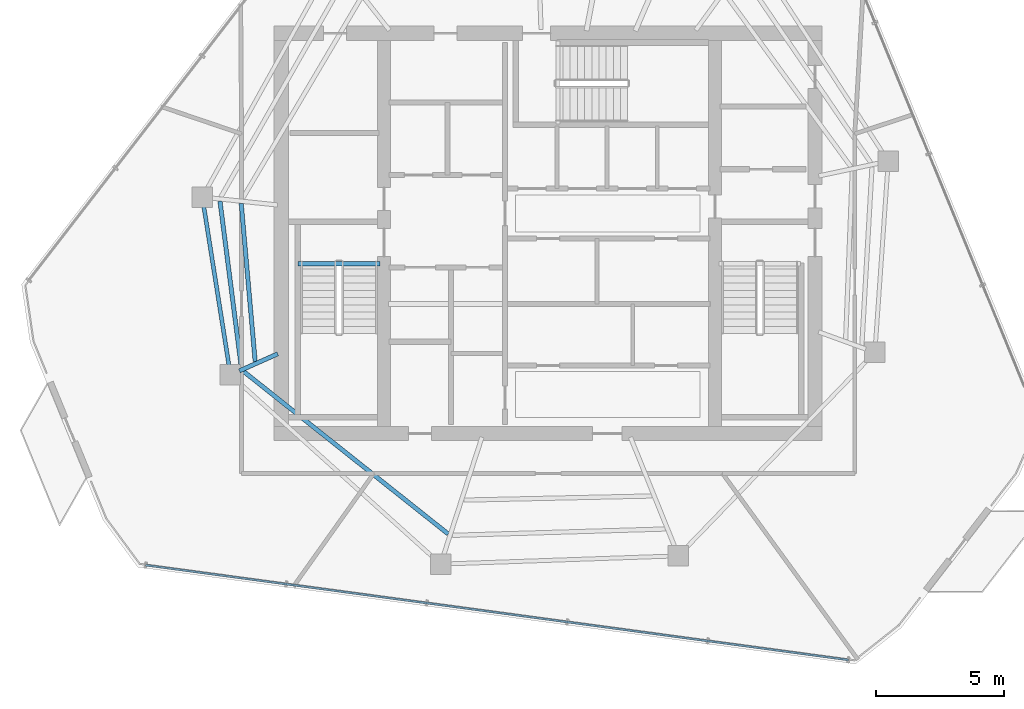
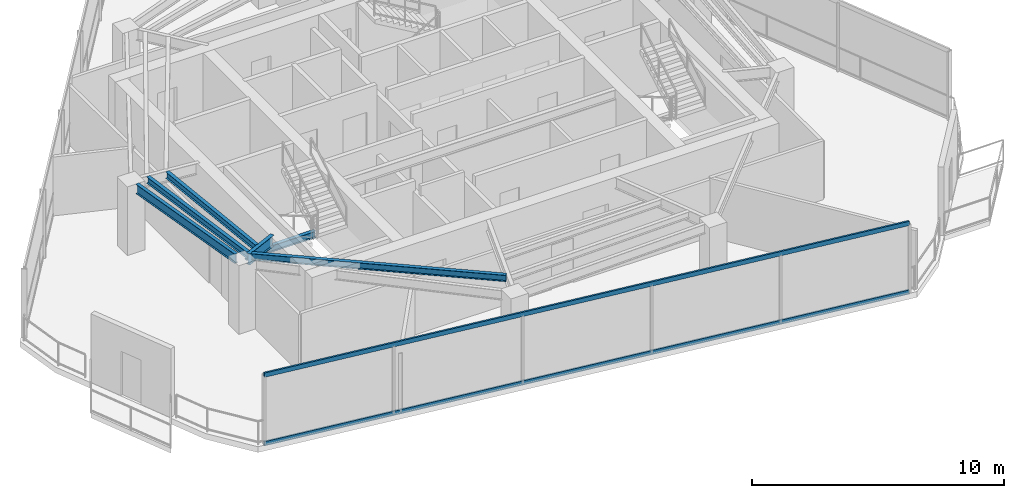
# One storey, part 3 of 19: 6 beams, 2 members, 1 element without a shape of its own.
"""IFC4 building model written with IfcOpenShell, lengths in metres."""

from ifc_helpers import new_model, si_unit, direction, frame, origin, origin_2d, place, context, subcontext, project, spatial, hollow_rectangle, i_section, extrude, material, layer, layer_set, material_profile, profile_set, type_object, element, aggregate, save


model = new_model("IFC4")

# Units and contexts
model_context = context("Model", 3, precision=1e-05, world=origin(), true_north=direction((0.0, 1.0)))
body_context = subcontext(model_context, "Body", "Model", "MODEL_VIEW")
ifc_project = project(units=[si_unit("LENGTHUNIT", "METRE"), si_unit("AREAUNIT", "SQUARE_METRE"), si_unit("VOLUMEUNIT", "CUBIC_METRE"), si_unit("PLANEANGLEUNIT", "RADIAN"), si_unit("MASSUNIT", "GRAM", prefix="KILO")], contexts=[model_context])

# Site, building, storey
site_placement = place(None, origin())
site = spatial("IfcSite", under=ifc_project, at=site_placement, CompositionType="ELEMENT")
building_placement = place(site_placement, origin())
building = spatial("IfcBuilding", under=site, at=building_placement, Name="Qarnah Convention Tower", CompositionType="ELEMENT")
storey_placement = place(building_placement, frame((0.0, 0.0, 264.300048828125)))
storey = spatial("IfcBuildingStorey", under=building, at=storey_placement, Name="L71", CompositionType="ELEMENT", Elevation=264.300048828125)

# Beams
ifc_material_1 = material(Name="Structural steel S355JR", Category="steel")
ifc_material_profile_1 = material_profile(ifc_material_1, i_section(OverallWidth=0.166015625, OverallDepth=0.31201171875, WebThickness=0.007080078125, FlangeThickness=0.010986328125, at=origin_2d()), Name="W310X45")
ifc_profile_set_1 = profile_set([ifc_material_profile_1], Name="Structural steel S355JR")
beam_type_1 = type_object("IfcBeamType", Name="BM-JST-W310", PredefinedType="JOIST", material=ifc_profile_set_1)
beam_1_placement = place(storey_placement, frame((27.4599609375, 25.217041015625, -0.156005859375), z_axis=(1.0, 0.0, 0.0), x_axis=(0.0, 1.0, 0.0)))
element("IfcBeam", 1, at=beam_1_placement, inside=storey, type_object=beam_type_1, Name="L71 stair landing trimmer beam BM-L71-ST1-TRM", PredefinedType="BEAM", context=body_context, shape_type="SweptSolid", body=[
    extrude(i_section(OverallWidth=0.166015625, OverallDepth=0.31201171875, WebThickness=0.007080078125, FlangeThickness=0.010986328125, at=origin_2d()), origin(), (0.0, 0.0, 1.0), 3.179931640625),
])
beam_2_placement = place(storey_placement, frame((24.412109375, 27.656005859375, 3.1640625), z_axis=(0.127426220111, -0.991848052087, 0.0), x_axis=(0.991848052087, 0.127426220111, 0.0)))
element("IfcBeam", 2, at=beam_2_placement, inside=storey, type_object=beam_type_1, Name="L71 joist BM-L71-SJST-05", PredefinedType="JOIST", context=body_context, shape_type="SweptSolid", body=[
    extrude(i_section(OverallWidth=0.166015625, OverallDepth=0.31201171875, WebThickness=0.007080078125, FlangeThickness=0.010986328125, at=origin_2d()), origin(), (0.0, 0.0, 1.0), 6.537109375),
])
beam_3_placement = place(storey_placement, frame((25.325927734375, 21.027099609375, 3.1640625), z_axis=(0.783049084818, -0.621959910899, 0.0), x_axis=(0.621959910899, 0.783049084818, 0.0)))
element("IfcBeam", 3, at=beam_3_placement, inside=storey, type_object=beam_type_1, Name="L71 joist BM-L71-SJST-06", PredefinedType="JOIST", context=body_context, shape_type="SweptSolid", body=[
    extrude(i_section(OverallWidth=0.166015625, OverallDepth=0.31201171875, WebThickness=0.007080078125, FlangeThickness=0.010986328125, at=origin_2d()), origin(), (0.0, 0.0, 1.0), 10.192138671875),
])
beam_4_placement = place(storey_placement, frame((25.239013671875, 27.568115234375, 3.1640625), z_axis=(0.08799985905, -0.996120487093, 0.0), x_axis=(0.996120487093, 0.08799985905, 0.0)))
element("IfcBeam", 4, at=beam_4_placement, inside=storey, type_object=beam_type_1, Name="L71 joist BM-L71-IJST-05", PredefinedType="JOIST", context=body_context, shape_type="SweptSolid", body=[
    extrude(i_section(OverallWidth=0.166015625, OverallDepth=0.31201171875, WebThickness=0.007080078125, FlangeThickness=0.010986328125, at=origin_2d()), origin(), (0.0, 0.0, 1.0), 6.18115234375),
])
ifc_material_profile_2 = material_profile(ifc_material_1, i_section(OverallWidth=0.166015625, OverallDepth=0.535888671875, WebThickness=0.010009765625, FlangeThickness=0.01708984375, at=origin_2d()), Name="W530X85")
ifc_profile_set_2 = profile_set([ifc_material_profile_2], Name="Structural steel S355JR")
beam_type_2 = type_object("IfcBeamType", Name="BM-RAD-W530B", PredefinedType="BEAM", material=ifc_profile_set_2)
beam_5_placement = place(storey_placement, frame((26.6630859375, 21.708984375, 3.052001953125), z_axis=(-0.913688456795, -0.406415309652, 0.0), x_axis=(0.406415309652, -0.913688456795, 0.0)))
element("IfcBeam", 5, at=beam_5_placement, inside=storey, type_object=beam_type_2, Name="L71 beam BM-L71-RAD-06", PredefinedType="BEAM", context=body_context, shape_type="SweptSolid", body=[
    extrude(i_section(OverallWidth=0.166015625, OverallDepth=0.535888671875, WebThickness=0.010009765625, FlangeThickness=0.01708984375, at=origin_2d()), origin(), (0.0, 0.0, 1.0), 1.636474609375),
])
ifc_material_profile_3 = material_profile(ifc_material_1, i_section(OverallWidth=0.154052734375, OverallDepth=0.4599609375, WebThickness=0.009033203125, FlangeThickness=0.014892578125, at=origin_2d()), Name="W460X68")
ifc_profile_set_3 = profile_set([ifc_material_profile_3], Name="Structural steel S355JR")
beam_type_3 = type_object("IfcBeamType", Name="BM-SPN-W460B", PredefinedType="SPANDREL", material=ifc_profile_set_3)
beam_6_placement = place(storey_placement, frame((23.784912109375, 27.430908203125, 3.08984375), z_axis=(0.156423110156, -0.987690138965, 0.0), x_axis=(0.987690138965, 0.156423110156, 0.0)))
element("IfcBeam", 6, at=beam_6_placement, inside=storey, type_object=beam_type_3, Name="L71 spandrel BM-L71-SPN-05", PredefinedType="SPANDREL", context=body_context, shape_type="SweptSolid", body=[
    extrude(i_section(OverallWidth=0.154052734375, OverallDepth=0.4599609375, WebThickness=0.009033203125, FlangeThickness=0.014892578125, at=origin_2d()), origin(), (0.0, 0.0, 1.0), 6.233642578125),
])

# Curtain wall, members
ifc_material_2 = material(Name="Tempered Low-E dark glass", Category="glass")
ifc_layer = layer(ifc_material_2, 0.176025390625)
ifc_layer_set = layer_set([ifc_layer], Name="Tempered Low-E dark glass")
curtain_wall_type = type_object("IfcCurtainWallType", Name="CWS-05", PredefinedType="NOTDEFINED", material=ifc_layer_set)
curtain_wall_placement = place(storey_placement, origin())
curtain_wall = element("IfcCurtainWall", 7, at=curtain_wall_placement, inside=storey, type_object=curtain_wall_type, Name="L71 unitised curtain wall CW-L71-F3", PredefinedType="NOTDEFINED")
ifc_material_3 = material(Name="Black anodised aluminium", Category="aluminium")
ifc_material_profile_4 = material_profile(ifc_material_3, hollow_rectangle(XDim=0.080078125, YDim=0.2099609375, WallThickness=0.0048828125, at=origin_2d()), Name="TRN-80X210")
ifc_profile_set_4 = profile_set([ifc_material_profile_4], Name="Black anodised aluminium")
member_type = type_object("IfcMemberType", Name="TRN-T5", PredefinedType="USERDEFINED", material=ifc_profile_set_4)
member_1_placement = place(storey_placement, frame((48.89697265625, 9.780029296875, 0.0), z_axis=(-0.991025934614, 0.133669730766, 0.0), x_axis=(-0.133669730766, -0.991025934614, 0.0)))
member_1 = element("IfcMember", 8, at=member_1_placement, type_object=member_type, Name="CW-L71-F3 transom 1", ObjectType="TRANSOM", PredefinedType="USERDEFINED", context=body_context, shape_type="SweptSolid", body=[
    extrude(hollow_rectangle(XDim=0.080078125, YDim=0.2099609375, WallThickness=0.0048828125, at=origin_2d()), origin(), (0.0, 0.0, 1.0), 27.626953125),
])
member_2_placement = place(storey_placement, frame((48.89697265625, 9.780029296875, 3.320068359375), z_axis=(-0.991025934614, 0.133669730766, 0.0), x_axis=(-0.133669730766, -0.991025934614, 0.0)))
member_2 = element("IfcMember", 9, at=member_2_placement, type_object=member_type, Name="CW-L71-F3 transom 2", ObjectType="TRANSOM", PredefinedType="USERDEFINED", context=body_context, shape_type="SweptSolid", body=[
    extrude(hollow_rectangle(XDim=0.080078125, YDim=0.2099609375, WallThickness=0.0048828125, at=origin_2d()), origin(), (0.0, 0.0, 1.0), 27.626953125),
])
aggregate(curtain_wall, [member_1, member_2])

save(model, "model.ifc")
